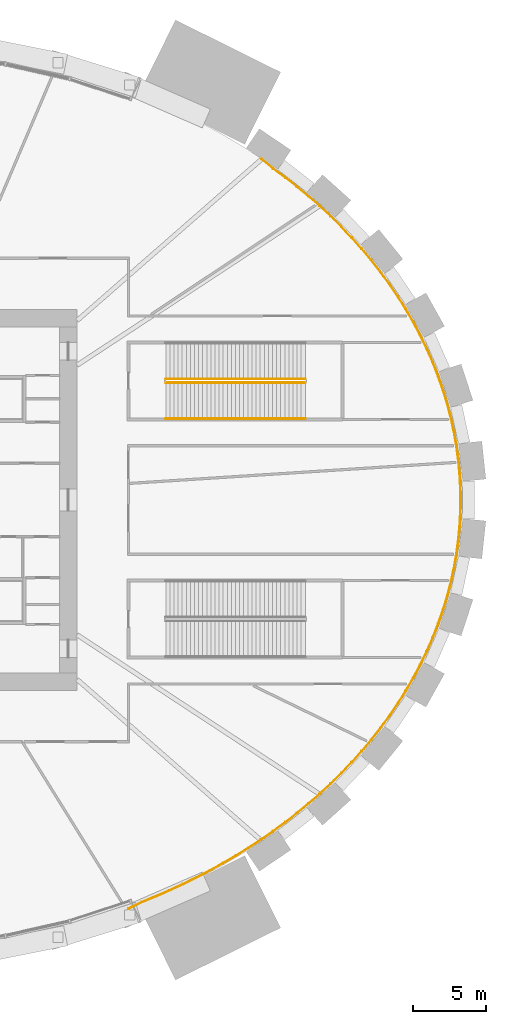
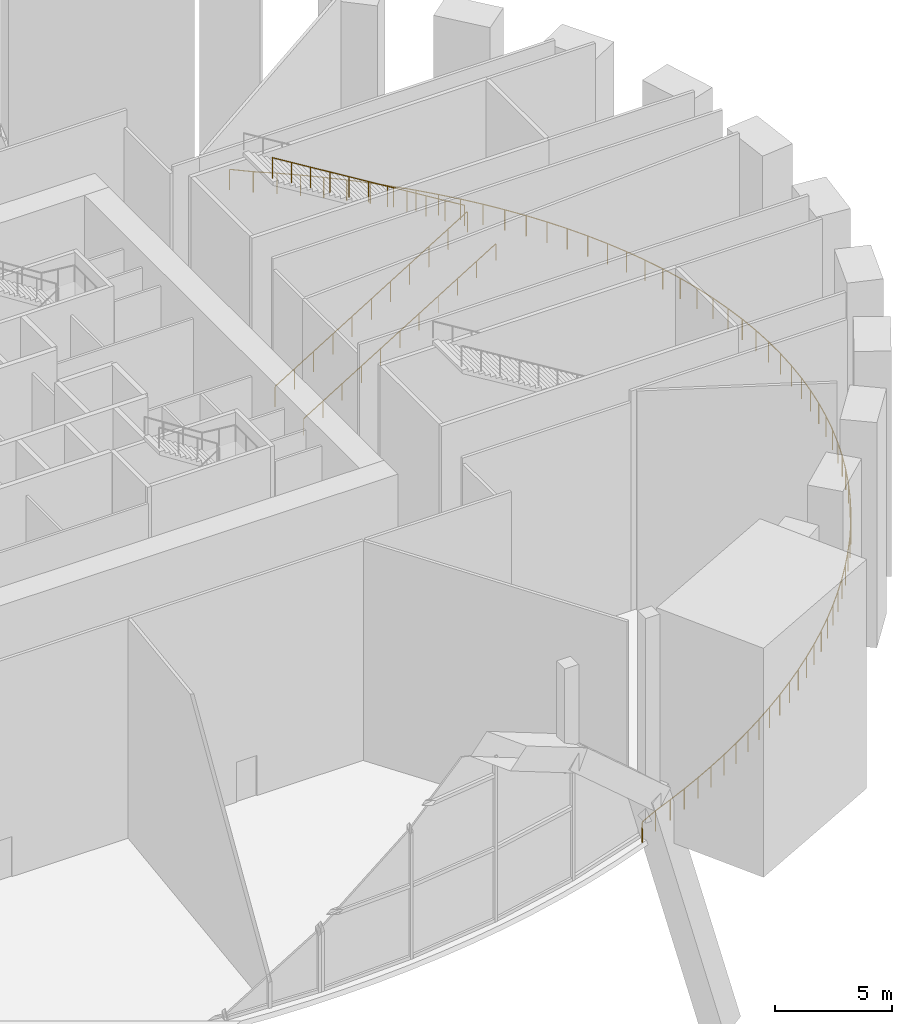
# One storey, part 20 of 21: 4 railings.
"""IFC4 building model written with IfcOpenShell, lengths in metres."""

from ifc_helpers import new_model, si_unit, direction, frame, origin, origin_2d, place, context, subcontext, project, spatial, circle, extrude, source, transform, mapped, material, type_object, element, save


model = new_model("IFC4")

# Units and contexts
model_context = context("Model", 3, precision=1e-05, world=origin(), true_north=direction((0.0, 1.0)))
body_context = subcontext(model_context, "Body", "Model", "MODEL_VIEW")
ifc_project = project(units=[si_unit("LENGTHUNIT", "METRE"), si_unit("AREAUNIT", "SQUARE_METRE"), si_unit("VOLUMEUNIT", "CUBIC_METRE"), si_unit("PLANEANGLEUNIT", "RADIAN"), si_unit("MASSUNIT", "GRAM", prefix="KILO")], contexts=[model_context])

# Site, building, storey
site_placement = place(None, origin())
site = spatial("IfcSite", under=ifc_project, at=site_placement, CompositionType="ELEMENT")
building_placement = place(site_placement, origin())
building = spatial("IfcBuilding", under=site, at=building_placement, Name="Embergate Tower", CompositionType="ELEMENT")
storey_placement = place(building_placement, frame((0.0, 0.0, 12.0)))
storey = spatial("IfcBuildingStorey", under=building, at=storey_placement, Name="L01", CompositionType="ELEMENT", Elevation=12.0)

# Railings
ifc_material_1 = material(Name="Stainless steel", Category="steel")
railing_type_1 = type_object("IfcRailingType", Name="Edge guard 1100", PredefinedType="GUARDRAIL", material=ifc_material_1)
shared_shape_1 = source(origin(), body_context, "Body", "SweptSolid", [
    extrude(circle(Radius=0.02490234375, at=origin_2d()), frame((0.0, 0.0, 1.0751953125), z_axis=(0.898670068431, 0.438625247913, 0.0), x_axis=(-0.438625247913, 0.898670068431, 0.0)), (0.0, 0.0, 1.0), 1.02587890625),
    extrude(circle(Radius=0.02490234375, at=origin_2d()), frame((0.921875, 0.449951171875, 1.0751953125), z_axis=(0.925170763655, 0.379551127093, 0.0), x_axis=(-0.379551127093, 0.925170763655, 0.0)), (0.0, 0.0, 1.0), 1.024658203125),
    extrude(circle(Radius=0.02490234375, at=origin_2d()), frame((1.869873046875, 0.8388671875, 1.0751953125), z_axis=(0.916322158137, 0.400441884058, 0.0), x_axis=(-0.400441884058, 0.916322158137, 0.0)), (0.0, 0.0, 1.0), 1.019287109375),
    extrude(circle(Radius=0.02490234375, at=origin_2d()), frame((2.803955078125, 1.2470703125, 1.0751953125), z_axis=(0.90704836877, 0.421026432319, 0.0), x_axis=(-0.421026432319, 0.90704836877, 0.0)), (0.0, 0.0, 1.0), 1.01416015625),
    extrude(circle(Radius=0.02490234375, at=origin_2d()), frame((3.723876953125, 1.674072265625, 1.0751953125), z_axis=(0.896884031493, 0.442265795708, 0.0), x_axis=(-0.442265795708, 0.896884031493, 0.0)), (0.0, 0.0, 1.0), 1.008056640625),
    extrude(circle(Radius=0.02490234375, at=origin_2d()), frame((4.6279296875, 2.119873046875, 1.0751953125), z_axis=(0.886340156846, 0.463034692397, 0.0), x_axis=(-0.463034692397, 0.886340156846, 0.0)), (0.0, 0.0, 1.0), 1.032470703125),
    extrude(circle(Radius=0.02490234375, at=origin_2d()), frame((5.54296875, 2.597900390625, 1.0751953125), z_axis=(0.874269498628, 0.485440875667, 0.0), x_axis=(-0.485440875667, 0.874269498628, 0.0)), (0.0, 0.0, 1.0), 1.02587890625),
    extrude(circle(Radius=0.02490234375, at=origin_2d()), frame((6.43994140625, 3.095947265625, 1.0751953125), z_axis=(0.86231574442, 0.506370967696, 0.0), x_axis=(-0.506370967696, 0.86231574442, 0.0)), (0.0, 0.0, 1.0), 1.019287109375),
    extrude(circle(Radius=0.02490234375, at=origin_2d()), frame((7.31884765625, 3.612060546875, 1.0751953125), z_axis=(0.849174312538, 0.528112664993, 0.0), x_axis=(-0.528112664993, 0.849174312538, 0.0)), (0.0, 0.0, 1.0), 1.012939453125),
    extrude(circle(Radius=0.02490234375, at=origin_2d()), frame((8.178955078125, 4.14697265625, 1.0751953125), z_axis=(0.835730957079, 0.549139114779, 0.0), x_axis=(-0.549139114779, 0.835730957079, 0.0)), (0.0, 0.0, 1.0), 1.005126953125),
    extrude(circle(Radius=0.02490234375, at=origin_2d()), frame((9.01904296875, 4.698974609375, 1.0751953125), z_axis=(0.820659780036, 0.571417120353, 0.0), x_axis=(-0.571417120353, 0.820659780036, 0.0)), (0.0, 0.0, 1.0), 1.034423828125),
    extrude(circle(Radius=0.02490234375, at=origin_2d()), frame((9.867919921875, 5.2900390625, 1.0751953125), z_axis=(0.805247017037, 0.592939492321, 0.0), x_axis=(-0.592939492321, 0.805247017037, 0.0)), (0.0, 0.0, 1.0), 1.02685546875),
    extrude(circle(Radius=0.02490234375, at=origin_2d()), frame((10.69482421875, 5.89892578125, 1.0751953125), z_axis=(0.788758020494, 0.614703819011, 0.0), x_axis=(-0.614703819011, 0.788758020494, 0.0)), (0.0, 0.0, 1.0), 1.018310546875),
    extrude(circle(Radius=0.02490234375, at=origin_2d()), frame((11.498046875, 6.52490234375, 1.0751953125), z_axis=(0.770549569389, 0.637380075869, 0.0), x_axis=(-0.637380075869, 0.770549569389, 0.0)), (0.0, 0.0, 1.0), 1.011962890625),
    extrude(circle(Radius=0.02490234375, at=origin_2d()), frame((12.27783203125, 7.169921875, 1.0751953125), z_axis=(0.753284425792, 0.657694894202, 0.0), x_axis=(-0.657694894202, 0.753284425792, 0.0)), (0.0, 0.0, 1.0), 1.003662109375),
    extrude(circle(Radius=0.02490234375, at=origin_2d()), frame((13.033935546875, 7.830078125, 1.0751953125), z_axis=(0.733255328789, 0.679953397523, 0.0), x_axis=(-0.679953397523, 0.733255328789, 0.0)), (0.0, 0.0, 1.0), 1.03515625),
    extrude(circle(Radius=0.02490234375, at=origin_2d()), frame((13.79296875, 8.533935546875, 1.0751953125), z_axis=(0.712433380724, 0.701739750926, 0.0), x_axis=(-0.701739750926, 0.712433380724, 0.0)), (0.0, 0.0, 1.0), 1.02734375),
    extrude(circle(Radius=0.02490234375, at=origin_2d()), frame((14.52490234375, 9.2548828125, 1.0751953125), z_axis=(0.69025340273, 0.723567716264, 0.0), x_axis=(-0.723567716264, 0.69025340273, 0.0)), (0.0, 0.0, 1.0), 1.0185546875),
    extrude(circle(Radius=0.02490234375, at=origin_2d()), frame((15.22802734375, 9.991943359375, 1.0751953125), z_axis=(0.667415756196, 0.744685308289, 0.0), x_axis=(-0.744685308289, 0.667415756196, 0.0)), (0.0, 0.0, 1.0), 1.010986328125),
    extrude(circle(Radius=0.02490234375, at=origin_2d()), frame((15.90283203125, 10.744873046875, 1.0751953125), z_axis=(0.64415073892, 0.764898572066, 0.0), x_axis=(-0.764898572066, 0.64415073892, 0.0)), (0.0, 0.0, 1.0), 1.0029296875),
    extrude(circle(Radius=0.02490234375, at=origin_2d()), frame((16.548828125, 11.511962890625, 1.0751953125), z_axis=(0.617592320889, 0.786498394899, 0.0), x_axis=(-0.786498394899, 0.617592320889, 0.0)), (0.0, 0.0, 1.0), 1.034912109375),
    extrude(circle(Radius=0.02490234375, at=origin_2d()), frame((17.18798828125, 12.325927734375, 1.0751953125), z_axis=(0.590517553228, 0.807024794742, 0.0), x_axis=(-0.807024794742, 0.590517553228, 0.0)), (0.0, 0.0, 1.0), 1.026123046875),
    extrude(circle(Radius=0.02490234375, at=origin_2d()), frame((17.7939453125, 13.154052734375, 1.0751953125), z_axis=(0.563240179925, 0.826293228653, 0.0), x_axis=(-0.826293228653, 0.563240179925, 0.0)), (0.0, 0.0, 1.0), 1.01904296875),
    extrude(circle(Radius=0.02490234375, at=origin_2d()), frame((18.367919921875, 13.99609375, 1.0751953125), z_axis=(0.533338498834, 0.845901912553, 0.0), x_axis=(-0.845901912553, 0.533338498834, 0.0)), (0.0, 0.0, 1.0), 1.0107421875),
    extrude(circle(Radius=0.02490234375, at=origin_2d()), frame((18.906982421875, 14.85107421875, 1.0751953125), z_axis=(0.502523125034, 0.864563767924, 0.0), x_axis=(-0.864563767924, 0.502523125034, 0.0)), (0.0, 0.0, 1.0), 1.002685546875),
    extrude(circle(Radius=0.02490234375, at=origin_2d()), frame((19.410888671875, 15.718017578125, 1.0751953125), z_axis=(0.470796865533, 0.882241640031, 0.0), x_axis=(-0.882241640031, 0.470796865533, 0.0)), (0.0, 0.0, 1.0), 1.032470703125),
    extrude(circle(Radius=0.02490234375, at=origin_2d()), frame((19.89697265625, 16.62890625, 1.0751953125), z_axis=(0.437366745177, 0.899283231364, 0.0), x_axis=(-0.899283231364, 0.437366745177, 0.0)), (0.0, 0.0, 1.0), 1.0244140625),
    extrude(circle(Radius=0.02490234375, at=origin_2d()), frame((20.344970703125, 17.550048828125, 1.0751953125), z_axis=(0.401485152071, 0.915865531979, 0.0), x_axis=(-0.915865531979, 0.401485152071, 0.0)), (0.0, 0.0, 1.0), 1.0185546875),
    extrude(circle(Radius=0.02490234375, at=origin_2d()), frame((20.75390625, 18.48291015625, 1.0751953125), z_axis=(0.365973515768, 0.930625266021, 0.0), x_axis=(-0.930625266021, 0.365973515768, 0.0)), (0.0, 0.0, 1.0), 1.01123046875),
    extrude(circle(Radius=0.02490234375, at=origin_2d()), frame((21.1240234375, 19.424072265625, 1.0751953125), z_axis=(0.328567649518, 0.944480439019, 0.0), x_axis=(-0.944480439019, 0.328567649518, 0.0)), (0.0, 0.0, 1.0), 1.0068359375),
    extrude(circle(Radius=0.02490234375, at=origin_2d()), frame((21.454833984375, 20.375, 1.0751953125), z_axis=(0.29136036249, 0.956613369742, 0.0), x_axis=(-0.956613369742, 0.29136036249, 0.0)), (0.0, 0.0, 1.0), 1.0263671875),
    extrude(circle(Radius=0.02490234375, at=origin_2d()), frame((21.75390625, 21.35693359375, 1.0751953125), z_axis=(0.250680175097, 0.968069961218, 0.0), x_axis=(-0.968069961218, 0.250680175097, 0.0)), (0.0, 0.0, 1.0), 1.021728515625),
    extrude(circle(Radius=0.02490234375, at=origin_2d()), frame((22.010009765625, 22.345947265625, 1.0751953125), z_axis=(0.210118759138, 0.977675870142, 0.0), x_axis=(-0.977675870142, 0.210118759138, 0.0)), (0.0, 0.0, 1.0), 1.017822265625),
    extrude(circle(Radius=0.02490234375, at=origin_2d()), frame((22.223876953125, 23.341064453125, 1.0751953125), z_axis=(0.16962490984, 0.985508696036, 0.0), x_axis=(-0.985508696036, 0.16962490984, 0.0)), (0.0, 0.0, 1.0), 1.0146484375),
    extrude(circle(Radius=0.02490234375, at=origin_2d()), frame((22.39599609375, 24.341064453125, 1.0751953125), z_axis=(0.128308044943, 0.991734362419, 0.0), x_axis=(-0.991734362419, 0.128308044943, 0.0)), (0.0, 0.0, 1.0), 1.01220703125),
    extrude(circle(Radius=0.02490234375, at=origin_2d()), frame((22.52587890625, 25.344970703125, 1.0751953125), z_axis=(0.085543863094, 0.996334405452, 0.0), x_axis=(-0.996334405452, 0.085543863094, 0.0)), (0.0, 0.0, 1.0), 1.018798828125),
    extrude(circle(Radius=0.02490234375, at=origin_2d()), frame((22.613037109375, 26.360107421875, 1.0751953125), z_axis=(0.043176984166, 0.999067439184, 0.0), x_axis=(-0.999067439184, 0.043176984166, 0.0)), (0.0, 0.0, 1.0), 1.017822265625),
    extrude(circle(Radius=0.02490234375, at=origin_2d()), frame((22.656982421875, 27.376953125, 1.0751953125), z_axis=(0.0, 1.0, 0.0), x_axis=(-1.0, 0.0, 0.0)), (0.0, 0.0, 1.0), 1.01806640625),
    extrude(circle(Radius=0.02490234375, at=origin_2d()), frame((22.656982421875, 28.39501953125, 1.0751953125), z_axis=(-0.043176984166, 0.999067439184, 0.0), x_axis=(-0.999067439184, -0.043176984166, 0.0)), (0.0, 0.0, 1.0), 1.017822265625),
    extrude(circle(Radius=0.02490234375, at=origin_2d()), frame((22.613037109375, 29.411865234375, 1.0751953125), z_axis=(-0.085543863094, 0.996334405452, 0.0), x_axis=(-0.996334405452, -0.085543863094, 0.0)), (0.0, 0.0, 1.0), 1.018798828125),
    extrude(circle(Radius=0.02490234375, at=origin_2d()), frame((22.52587890625, 30.427001953125, 1.0751953125), z_axis=(-0.128308044943, 0.991734362419, 0.0), x_axis=(-0.991734362419, -0.128308044943, 0.0)), (0.0, 0.0, 1.0), 1.01220703125),
    extrude(circle(Radius=0.02490234375, at=origin_2d()), frame((22.39599609375, 31.430908203125, 1.0751953125), z_axis=(-0.16962490984, 0.985508696036, 0.0), x_axis=(-0.985508696036, -0.16962490984, 0.0)), (0.0, 0.0, 1.0), 1.0146484375),
    extrude(circle(Radius=0.02490234375, at=origin_2d()), frame((22.223876953125, 32.430908203125, 1.0751953125), z_axis=(-0.210118759138, 0.977675870142, 0.0), x_axis=(-0.977675870142, -0.210118759138, 0.0)), (0.0, 0.0, 1.0), 1.017822265625),
    extrude(circle(Radius=0.02490234375, at=origin_2d()), frame((22.010009765625, 33.426025390625, 1.0751953125), z_axis=(-0.250680175097, 0.968069961218, 0.0), x_axis=(-0.968069961218, -0.250680175097, 0.0)), (0.0, 0.0, 1.0), 1.021728515625),
    extrude(circle(Radius=0.02490234375, at=origin_2d()), frame((21.75390625, 34.4150390625, 1.0751953125), z_axis=(-0.29136036249, 0.956613369742, 0.0), x_axis=(-0.956613369742, -0.29136036249, 0.0)), (0.0, 0.0, 1.0), 1.0263671875),
    extrude(circle(Radius=0.02490234375, at=origin_2d()), frame((21.454833984375, 35.39697265625, 1.0751953125), z_axis=(-0.328567649518, 0.944480439019, 0.0), x_axis=(-0.944480439019, -0.328567649518, 0.0)), (0.0, 0.0, 1.0), 1.0068359375),
    extrude(circle(Radius=0.02490234375, at=origin_2d()), frame((21.1240234375, 36.347900390625, 1.0751953125), z_axis=(-0.365973515768, 0.930625266021, 0.0), x_axis=(-0.930625266021, -0.365973515768, 0.0)), (0.0, 0.0, 1.0), 1.01123046875),
    extrude(circle(Radius=0.02490234375, at=origin_2d()), frame((20.75390625, 37.2890625, 1.0751953125), z_axis=(-0.401485152071, 0.915865531979, 0.0), x_axis=(-0.915865531979, -0.401485152071, 0.0)), (0.0, 0.0, 1.0), 1.0185546875),
    extrude(circle(Radius=0.02490234375, at=origin_2d()), frame((20.344970703125, 38.221923828125, 1.0751953125), z_axis=(-0.437366745177, 0.899283231364, 0.0), x_axis=(-0.899283231364, -0.437366745177, 0.0)), (0.0, 0.0, 1.0), 1.0244140625),
    extrude(circle(Radius=0.02490234375, at=origin_2d()), frame((19.89697265625, 39.14306640625, 1.0751953125), z_axis=(-0.470796865533, 0.882241640031, 0.0), x_axis=(-0.882241640031, -0.470796865533, 0.0)), (0.0, 0.0, 1.0), 1.032470703125),
    extrude(circle(Radius=0.02490234375, at=origin_2d()), frame((19.410888671875, 40.053955078125, 1.0751953125), z_axis=(-0.502523125034, 0.864563767924, 0.0), x_axis=(-0.864563767924, -0.502523125034, 0.0)), (0.0, 0.0, 1.0), 1.002685546875),
    extrude(circle(Radius=0.02490234375, at=origin_2d()), frame((18.906982421875, 40.9208984375, 1.0751953125), z_axis=(-0.533338498834, 0.845901912553, 0.0), x_axis=(-0.845901912553, -0.533338498834, 0.0)), (0.0, 0.0, 1.0), 1.0107421875),
    extrude(circle(Radius=0.02490234375, at=origin_2d()), frame((18.367919921875, 41.77587890625, 1.0751953125), z_axis=(-0.563240179925, 0.826293228653, 0.0), x_axis=(-0.826293228653, -0.563240179925, 0.0)), (0.0, 0.0, 1.0), 1.01904296875),
    extrude(circle(Radius=0.02490234375, at=origin_2d()), frame((17.7939453125, 42.617919921875, 1.0751953125), z_axis=(-0.590517553228, 0.807024794742, 0.0), x_axis=(-0.807024794742, -0.590517553228, 0.0)), (0.0, 0.0, 1.0), 1.026123046875),
    extrude(circle(Radius=0.02490234375, at=origin_2d()), frame((17.18798828125, 43.446044921875, 1.0751953125), z_axis=(-0.617592320889, 0.786498394899, 0.0), x_axis=(-0.786498394899, -0.617592320889, 0.0)), (0.0, 0.0, 1.0), 1.034912109375),
    extrude(circle(Radius=0.02490234375, at=origin_2d()), frame((16.548828125, 44.260009765625, 1.0751953125), z_axis=(-0.64415073892, 0.764898572066, 0.0), x_axis=(-0.764898572066, -0.64415073892, 0.0)), (0.0, 0.0, 1.0), 1.0029296875),
    extrude(circle(Radius=0.02490234375, at=origin_2d()), frame((15.90283203125, 45.027099609375, 1.0751953125), z_axis=(-0.667415756196, 0.744685308289, 0.0), x_axis=(-0.744685308289, -0.667415756196, 0.0)), (0.0, 0.0, 1.0), 1.010986328125),
    extrude(circle(Radius=0.02490234375, at=origin_2d()), frame((15.22802734375, 45.780029296875, 1.0751953125), z_axis=(-0.69025340273, 0.723567716264, 0.0), x_axis=(-0.723567716264, -0.69025340273, 0.0)), (0.0, 0.0, 1.0), 1.0185546875),
    extrude(circle(Radius=0.02490234375, at=origin_2d()), frame((14.52490234375, 46.51708984375, 1.0751953125), z_axis=(-0.712433380724, 0.701739750926, 0.0), x_axis=(-0.701739750926, -0.712433380724, 0.0)), (0.0, 0.0, 1.0), 1.02734375),
    extrude(circle(Radius=0.02490234375, at=origin_2d()), frame((13.79296875, 47.238037109375, 1.0751953125), z_axis=(-0.733255328789, 0.679953397523, 0.0), x_axis=(-0.679953397523, -0.733255328789, 0.0)), (0.0, 0.0, 1.0), 1.03515625),
    extrude(circle(Radius=0.02490234375, at=origin_2d()), frame((13.033935546875, 47.94189453125, 1.0751953125), z_axis=(-0.753284425792, 0.657694894202, 0.0), x_axis=(-0.657694894202, -0.753284425792, 0.0)), (0.0, 0.0, 1.0), 1.003662109375),
    extrude(circle(Radius=0.02490234375, at=origin_2d()), frame((12.27783203125, 48.60205078125, 1.0751953125), z_axis=(-0.770549569389, 0.637380075869, 0.0), x_axis=(-0.637380075869, -0.770549569389, 0.0)), (0.0, 0.0, 1.0), 1.011962890625),
    extrude(circle(Radius=0.02490234375, at=origin_2d()), frame((11.498046875, 49.2470703125, 1.0751953125), z_axis=(-0.788758020494, 0.614703819011, 0.0), x_axis=(-0.614703819011, -0.788758020494, 0.0)), (0.0, 0.0, 1.0), 1.018310546875),
    extrude(circle(Radius=0.02490234375, at=origin_2d()), frame((10.69482421875, 49.873046875, 1.0751953125), z_axis=(-0.805247017037, 0.592939492321, 0.0), x_axis=(-0.592939492321, -0.805247017037, 0.0)), (0.0, 0.0, 1.0), 1.02685546875),
    extrude(circle(Radius=0.02490234375, at=origin_2d()), frame((9.867919921875, 50.48193359375, 1.0751953125), z_axis=(-0.768026463752, 0.640418106378, 0.0), x_axis=(-0.640418106378, -0.768026463752, 0.0)), (0.0, 0.0, 1.0), 1.02734375),
    extrude(circle(Radius=0.02490234375, at=origin_2d()), origin(), (0.0, 0.0, 1.0), 1.050048828125),
    extrude(circle(Radius=0.02490234375, at=origin_2d()), frame((0.921875, 0.449951171875, 0.0)), (0.0, 0.0, 1.0), 1.050048828125),
    extrude(circle(Radius=0.02490234375, at=origin_2d()), frame((1.869873046875, 0.8388671875, 0.0)), (0.0, 0.0, 1.0), 1.050048828125),
    extrude(circle(Radius=0.02490234375, at=origin_2d()), frame((2.803955078125, 1.2470703125, 0.0)), (0.0, 0.0, 1.0), 1.050048828125),
    extrude(circle(Radius=0.02490234375, at=origin_2d()), frame((3.723876953125, 1.674072265625, 0.0)), (0.0, 0.0, 1.0), 1.050048828125),
    extrude(circle(Radius=0.02490234375, at=origin_2d()), frame((4.6279296875, 2.119873046875, 0.0)), (0.0, 0.0, 1.0), 1.050048828125),
    extrude(circle(Radius=0.02490234375, at=origin_2d()), frame((5.54296875, 2.597900390625, 0.0)), (0.0, 0.0, 1.0), 1.050048828125),
    extrude(circle(Radius=0.02490234375, at=origin_2d()), frame((6.43994140625, 3.095947265625, 0.0)), (0.0, 0.0, 1.0), 1.050048828125),
    extrude(circle(Radius=0.02490234375, at=origin_2d()), frame((7.31884765625, 3.612060546875, 0.0)), (0.0, 0.0, 1.0), 1.050048828125),
    extrude(circle(Radius=0.02490234375, at=origin_2d()), frame((8.178955078125, 4.14697265625, 0.0)), (0.0, 0.0, 1.0), 1.050048828125),
    extrude(circle(Radius=0.02490234375, at=origin_2d()), frame((9.01904296875, 4.698974609375, 0.0)), (0.0, 0.0, 1.0), 1.050048828125),
    extrude(circle(Radius=0.02490234375, at=origin_2d()), frame((9.867919921875, 5.2900390625, 0.0)), (0.0, 0.0, 1.0), 1.050048828125),
    extrude(circle(Radius=0.02490234375, at=origin_2d()), frame((10.69482421875, 5.89892578125, 0.0)), (0.0, 0.0, 1.0), 1.050048828125),
    extrude(circle(Radius=0.02490234375, at=origin_2d()), frame((11.498046875, 6.52490234375, 0.0)), (0.0, 0.0, 1.0), 1.050048828125),
    extrude(circle(Radius=0.02490234375, at=origin_2d()), frame((12.27783203125, 7.169921875, 0.0)), (0.0, 0.0, 1.0), 1.050048828125),
    extrude(circle(Radius=0.02490234375, at=origin_2d()), frame((13.033935546875, 7.830078125, 0.0)), (0.0, 0.0, 1.0), 1.050048828125),
    extrude(circle(Radius=0.02490234375, at=origin_2d()), frame((13.79296875, 8.533935546875, 0.0)), (0.0, 0.0, 1.0), 1.050048828125),
    extrude(circle(Radius=0.02490234375, at=origin_2d()), frame((14.52490234375, 9.2548828125, 0.0)), (0.0, 0.0, 1.0), 1.050048828125),
    extrude(circle(Radius=0.02490234375, at=origin_2d()), frame((15.22802734375, 9.991943359375, 0.0)), (0.0, 0.0, 1.0), 1.050048828125),
    extrude(circle(Radius=0.02490234375, at=origin_2d()), frame((15.90283203125, 10.744873046875, 0.0)), (0.0, 0.0, 1.0), 1.050048828125),
    extrude(circle(Radius=0.02490234375, at=origin_2d()), frame((16.548828125, 11.511962890625, 0.0)), (0.0, 0.0, 1.0), 1.050048828125),
    extrude(circle(Radius=0.02490234375, at=origin_2d()), frame((17.18798828125, 12.325927734375, 0.0)), (0.0, 0.0, 1.0), 1.050048828125),
    extrude(circle(Radius=0.02490234375, at=origin_2d()), frame((17.7939453125, 13.154052734375, 0.0)), (0.0, 0.0, 1.0), 1.050048828125),
    extrude(circle(Radius=0.02490234375, at=origin_2d()), frame((18.367919921875, 13.99609375, 0.0)), (0.0, 0.0, 1.0), 1.050048828125),
    extrude(circle(Radius=0.02490234375, at=origin_2d()), frame((18.906982421875, 14.85107421875, 0.0)), (0.0, 0.0, 1.0), 1.050048828125),
    extrude(circle(Radius=0.02490234375, at=origin_2d()), frame((19.410888671875, 15.718017578125, 0.0)), (0.0, 0.0, 1.0), 1.050048828125),
    extrude(circle(Radius=0.02490234375, at=origin_2d()), frame((19.89697265625, 16.62890625, 0.0)), (0.0, 0.0, 1.0), 1.050048828125),
    extrude(circle(Radius=0.02490234375, at=origin_2d()), frame((20.344970703125, 17.550048828125, 0.0)), (0.0, 0.0, 1.0), 1.050048828125),
    extrude(circle(Radius=0.02490234375, at=origin_2d()), frame((20.75390625, 18.48291015625, 0.0)), (0.0, 0.0, 1.0), 1.050048828125),
    extrude(circle(Radius=0.02490234375, at=origin_2d()), frame((21.1240234375, 19.424072265625, 0.0)), (0.0, 0.0, 1.0), 1.050048828125),
    extrude(circle(Radius=0.02490234375, at=origin_2d()), frame((21.454833984375, 20.375, 0.0)), (0.0, 0.0, 1.0), 1.050048828125),
    extrude(circle(Radius=0.02490234375, at=origin_2d()), frame((21.75390625, 21.35693359375, 0.0)), (0.0, 0.0, 1.0), 1.050048828125),
    extrude(circle(Radius=0.02490234375, at=origin_2d()), frame((22.010009765625, 22.345947265625, 0.0)), (0.0, 0.0, 1.0), 1.050048828125),
    extrude(circle(Radius=0.02490234375, at=origin_2d()), frame((22.223876953125, 23.341064453125, 0.0)), (0.0, 0.0, 1.0), 1.050048828125),
    extrude(circle(Radius=0.02490234375, at=origin_2d()), frame((22.39599609375, 24.341064453125, 0.0)), (0.0, 0.0, 1.0), 1.050048828125),
    extrude(circle(Radius=0.02490234375, at=origin_2d()), frame((22.52587890625, 25.344970703125, 0.0)), (0.0, 0.0, 1.0), 1.050048828125),
    extrude(circle(Radius=0.02490234375, at=origin_2d()), frame((22.613037109375, 26.360107421875, 0.0)), (0.0, 0.0, 1.0), 1.050048828125),
    extrude(circle(Radius=0.02490234375, at=origin_2d()), frame((22.656982421875, 27.376953125, 0.0)), (0.0, 0.0, 1.0), 1.050048828125),
    extrude(circle(Radius=0.02490234375, at=origin_2d()), frame((22.656982421875, 28.39501953125, 0.0)), (0.0, 0.0, 1.0), 1.050048828125),
    extrude(circle(Radius=0.02490234375, at=origin_2d()), frame((22.613037109375, 29.411865234375, 0.0)), (0.0, 0.0, 1.0), 1.050048828125),
    extrude(circle(Radius=0.02490234375, at=origin_2d()), frame((22.52587890625, 30.427001953125, 0.0)), (0.0, 0.0, 1.0), 1.050048828125),
    extrude(circle(Radius=0.02490234375, at=origin_2d()), frame((22.39599609375, 31.430908203125, 0.0)), (0.0, 0.0, 1.0), 1.050048828125),
    extrude(circle(Radius=0.02490234375, at=origin_2d()), frame((22.223876953125, 32.430908203125, 0.0)), (0.0, 0.0, 1.0), 1.050048828125),
    extrude(circle(Radius=0.02490234375, at=origin_2d()), frame((22.010009765625, 33.426025390625, 0.0)), (0.0, 0.0, 1.0), 1.050048828125),
    extrude(circle(Radius=0.02490234375, at=origin_2d()), frame((21.75390625, 34.4150390625, 0.0)), (0.0, 0.0, 1.0), 1.050048828125),
    extrude(circle(Radius=0.02490234375, at=origin_2d()), frame((21.454833984375, 35.39697265625, 0.0)), (0.0, 0.0, 1.0), 1.050048828125),
    extrude(circle(Radius=0.02490234375, at=origin_2d()), frame((21.1240234375, 36.347900390625, 0.0)), (0.0, 0.0, 1.0), 1.050048828125),
    extrude(circle(Radius=0.02490234375, at=origin_2d()), frame((20.75390625, 37.2890625, 0.0)), (0.0, 0.0, 1.0), 1.050048828125),
    extrude(circle(Radius=0.02490234375, at=origin_2d()), frame((20.344970703125, 38.221923828125, 0.0)), (0.0, 0.0, 1.0), 1.050048828125),
    extrude(circle(Radius=0.02490234375, at=origin_2d()), frame((19.89697265625, 39.14306640625, 0.0)), (0.0, 0.0, 1.0), 1.050048828125),
    extrude(circle(Radius=0.02490234375, at=origin_2d()), frame((19.410888671875, 40.053955078125, 0.0)), (0.0, 0.0, 1.0), 1.050048828125),
    extrude(circle(Radius=0.02490234375, at=origin_2d()), frame((18.906982421875, 40.9208984375, 0.0)), (0.0, 0.0, 1.0), 1.050048828125),
    extrude(circle(Radius=0.02490234375, at=origin_2d()), frame((18.367919921875, 41.77587890625, 0.0)), (0.0, 0.0, 1.0), 1.050048828125),
    extrude(circle(Radius=0.02490234375, at=origin_2d()), frame((17.7939453125, 42.617919921875, 0.0)), (0.0, 0.0, 1.0), 1.050048828125),
    extrude(circle(Radius=0.02490234375, at=origin_2d()), frame((17.18798828125, 43.446044921875, 0.0)), (0.0, 0.0, 1.0), 1.050048828125),
    extrude(circle(Radius=0.02490234375, at=origin_2d()), frame((16.548828125, 44.260009765625, 0.0)), (0.0, 0.0, 1.0), 1.050048828125),
    extrude(circle(Radius=0.02490234375, at=origin_2d()), frame((15.90283203125, 45.027099609375, 0.0)), (0.0, 0.0, 1.0), 1.050048828125),
    extrude(circle(Radius=0.02490234375, at=origin_2d()), frame((15.22802734375, 45.780029296875, 0.0)), (0.0, 0.0, 1.0), 1.050048828125),
    extrude(circle(Radius=0.02490234375, at=origin_2d()), frame((14.52490234375, 46.51708984375, 0.0)), (0.0, 0.0, 1.0), 1.050048828125),
    extrude(circle(Radius=0.02490234375, at=origin_2d()), frame((13.79296875, 47.238037109375, 0.0)), (0.0, 0.0, 1.0), 1.050048828125),
    extrude(circle(Radius=0.02490234375, at=origin_2d()), frame((13.033935546875, 47.94189453125, 0.0)), (0.0, 0.0, 1.0), 1.050048828125),
    extrude(circle(Radius=0.02490234375, at=origin_2d()), frame((12.27783203125, 48.60205078125, 0.0)), (0.0, 0.0, 1.0), 1.050048828125),
    extrude(circle(Radius=0.02490234375, at=origin_2d()), frame((11.498046875, 49.2470703125, 0.0)), (0.0, 0.0, 1.0), 1.050048828125),
    extrude(circle(Radius=0.02490234375, at=origin_2d()), frame((10.69482421875, 49.873046875, 0.0)), (0.0, 0.0, 1.0), 1.050048828125),
    extrude(circle(Radius=0.02490234375, at=origin_2d()), frame((9.867919921875, 50.48193359375, 0.0)), (0.0, 0.0, 1.0), 1.050048828125),
    extrude(circle(Radius=0.02490234375, at=origin_2d()), frame((9.078857421875, 51.139892578125, 0.0)), (0.0, 0.0, 1.0), 1.050048828125),
])
railing_1_placement = place(storey_placement, frame((17.51806640625, -27.885986328125, 0.0)))
element("IfcRailing", 1, at=railing_1_placement, inside=storey, type_object=railing_type_1, Name="Slab edge guard", PredefinedType="GUARDRAIL", context=body_context, shape_type="MappedRepresentation", body=[
    mapped(shared_shape_1, transform((0.0, 0.0, 0.0))),
])
ifc_material_2 = material(Name="Steel", Category="steel")
railing_type_2 = type_object("IfcRailingType", Name="Podium stair guard 1100", PredefinedType="GUARDRAIL", material=ifc_material_2)
shared_shape_2 = source(origin(), body_context, "Body", "SweptSolid", [
    extrude(circle(Radius=0.02392578125, at=origin_2d()), frame((0.0, 0.0, 1.076171875), z_axis=(0.852850111455, 0.0, 0.522155807582), x_axis=(0.0, 1.0, 0.0)), (0.0, 0.0, 1.0), 11.16259765625),
    extrude(circle(Radius=0.02099609375, at=origin_2d()), origin(), (0.0, 0.0, 1.0), 1.052001953125),
    extrude(circle(Radius=0.02099609375, at=origin_2d()), frame((0.951904296875, 0.0, 0.582763671875)), (0.0, 0.0, 1.0), 1.052001953125),
    extrude(circle(Radius=0.02099609375, at=origin_2d()), frame((1.904052734375, 0.0, 1.165771484375)), (0.0, 0.0, 1.0), 1.052001953125),
    extrude(circle(Radius=0.02099609375, at=origin_2d()), frame((2.85595703125, 0.0, 1.74853515625)), (0.0, 0.0, 1.0), 1.052001953125),
    extrude(circle(Radius=0.02099609375, at=origin_2d()), frame((3.80810546875, 0.0, 2.33154296875)), (0.0, 0.0, 1.0), 1.052001953125),
    extrude(circle(Radius=0.02099609375, at=origin_2d()), frame((4.760009765625, 0.0, 2.914306640625)), (0.0, 0.0, 1.0), 1.052001953125),
    extrude(circle(Radius=0.02099609375, at=origin_2d()), frame((5.7119140625, 0.0, 3.4970703125)), (0.0, 0.0, 1.0), 1.052001953125),
    extrude(circle(Radius=0.02099609375, at=origin_2d()), frame((6.6640625, 0.0, 4.080078125)), (0.0, 0.0, 1.0), 1.052001953125),
    extrude(circle(Radius=0.02099609375, at=origin_2d()), frame((7.615966796875, 0.0, 4.662841796875)), (0.0, 0.0, 1.0), 1.052001953125),
    extrude(circle(Radius=0.02099609375, at=origin_2d()), frame((8.568115234375, 0.0, 5.245849609375)), (0.0, 0.0, 1.0), 1.052001953125),
    extrude(circle(Radius=0.02099609375, at=origin_2d()), frame((9.52001953125, 0.0, 5.82861328125)), (0.0, 0.0, 1.0), 1.052001953125),
])
railing_2_placement = place(storey_placement, frame((20.050048828125, 8.0, 0.17138671875)))
element("IfcRailing", 2, at=railing_2_placement, inside=storey, type_object=railing_type_2, Name="L01 P1 stair guard 1", PredefinedType="GUARDRAIL", context=body_context, shape_type="MappedRepresentation", body=[
    mapped(shared_shape_2, transform((0.0, 0.0, 0.0))),
])
shared_shape_3 = source(origin(), body_context, "Body", "SweptSolid", [
    extrude(circle(Radius=0.02392578125, at=origin_2d()), frame((0.0, 0.0, 1.076171875), z_axis=(-0.852850111455, 0.0, 0.522155807582), x_axis=(0.0, -1.0, 0.0)), (0.0, 0.0, 1.0), 11.16259765625),
    extrude(circle(Radius=0.02099609375, at=origin_2d()), origin(), (0.0, 0.0, 1.0), 1.052001953125),
    extrude(circle(Radius=0.02099609375, at=origin_2d()), frame((-0.951904296875, 0.0, 0.582763671875)), (0.0, 0.0, 1.0), 1.052001953125),
    extrude(circle(Radius=0.02099609375, at=origin_2d()), frame((-1.904052734375, 0.0, 1.165771484375)), (0.0, 0.0, 1.0), 1.052001953125),
    extrude(circle(Radius=0.02099609375, at=origin_2d()), frame((-2.85595703125, 0.0, 1.74853515625)), (0.0, 0.0, 1.0), 1.052001953125),
    extrude(circle(Radius=0.02099609375, at=origin_2d()), frame((-3.80810546875, 0.0, 2.33154296875)), (0.0, 0.0, 1.0), 1.052001953125),
    extrude(circle(Radius=0.02099609375, at=origin_2d()), frame((-4.760009765625, 0.0, 2.914306640625)), (0.0, 0.0, 1.0), 1.052001953125),
    extrude(circle(Radius=0.02099609375, at=origin_2d()), frame((-5.7119140625, 0.0, 3.4970703125)), (0.0, 0.0, 1.0), 1.052001953125),
    extrude(circle(Radius=0.02099609375, at=origin_2d()), frame((-6.6640625, 0.0, 4.080078125)), (0.0, 0.0, 1.0), 1.052001953125),
    extrude(circle(Radius=0.02099609375, at=origin_2d()), frame((-7.615966796875, 0.0, 4.662841796875)), (0.0, 0.0, 1.0), 1.052001953125),
    extrude(circle(Radius=0.02099609375, at=origin_2d()), frame((-8.568115234375, 0.0, 5.245849609375)), (0.0, 0.0, 1.0), 1.052001953125),
    extrude(circle(Radius=0.02099609375, at=origin_2d()), frame((-9.52001953125, 0.0, 5.82861328125)), (0.0, 0.0, 1.0), 1.052001953125),
])
railing_3_placement = place(storey_placement, frame((29.570068359375, 8.25, 6.17138671875)))
element("IfcRailing", 3, at=railing_3_placement, inside=storey, type_object=railing_type_2, Name="L01 P1 stair guard 3", PredefinedType="GUARDRAIL", context=body_context, shape_type="MappedRepresentation", body=[
    mapped(shared_shape_3, transform((0.0, 0.0, 0.0))),
])
railing_type_3 = type_object("IfcRailingType", Name="Podium stair handrail 900", PredefinedType="HANDRAIL", material=ifc_material_2)
shared_shape_4 = source(origin(), body_context, "Body", "SweptSolid", [
    extrude(circle(Radius=0.02392578125, at=origin_2d()), frame((0.0, 0.0, 0.8759765625), z_axis=(0.852850111455, 0.0, 0.522155807582), x_axis=(0.0, 1.0, 0.0)), (0.0, 0.0, 1.0), 11.16259765625),
    extrude(circle(Radius=0.02099609375, at=origin_2d()), origin(), (0.0, 0.0, 1.0), 0.851806640625),
    extrude(circle(Radius=0.02099609375, at=origin_2d()), frame((0.951904296875, 0.0, 0.582763671875)), (0.0, 0.0, 1.0), 0.851806640625),
    extrude(circle(Radius=0.02099609375, at=origin_2d()), frame((1.904052734375, 0.0, 1.165771484375)), (0.0, 0.0, 1.0), 0.851806640625),
    extrude(circle(Radius=0.02099609375, at=origin_2d()), frame((2.85595703125, 0.0, 1.74853515625)), (0.0, 0.0, 1.0), 0.851806640625),
    extrude(circle(Radius=0.02099609375, at=origin_2d()), frame((3.80810546875, 0.0, 2.33154296875)), (0.0, 0.0, 1.0), 0.851806640625),
    extrude(circle(Radius=0.02099609375, at=origin_2d()), frame((4.760009765625, 0.0, 2.914306640625)), (0.0, 0.0, 1.0), 0.851806640625),
    extrude(circle(Radius=0.02099609375, at=origin_2d()), frame((5.7119140625, 0.0, 3.4970703125)), (0.0, 0.0, 1.0), 0.851806640625),
    extrude(circle(Radius=0.02099609375, at=origin_2d()), frame((6.6640625, 0.0, 4.080078125)), (0.0, 0.0, 1.0), 0.851806640625),
    extrude(circle(Radius=0.02099609375, at=origin_2d()), frame((7.615966796875, 0.0, 4.662841796875)), (0.0, 0.0, 1.0), 0.851806640625),
    extrude(circle(Radius=0.02099609375, at=origin_2d()), frame((8.568115234375, 0.0, 5.245849609375)), (0.0, 0.0, 1.0), 0.851806640625),
    extrude(circle(Radius=0.02099609375, at=origin_2d()), frame((9.52001953125, 0.0, 5.82861328125)), (0.0, 0.0, 1.0), 0.851806640625),
])
railing_4_placement = place(storey_placement, frame((20.050048828125, 5.550048828125, 0.17138671875)))
element("IfcRailing", 4, at=railing_4_placement, inside=storey, type_object=railing_type_3, Name="L01 P1 stair handrail 1", PredefinedType="HANDRAIL", context=body_context, shape_type="MappedRepresentation", body=[
    mapped(shared_shape_4, transform((0.0, 0.0, 0.0))),
])

save(model, "model.ifc")
